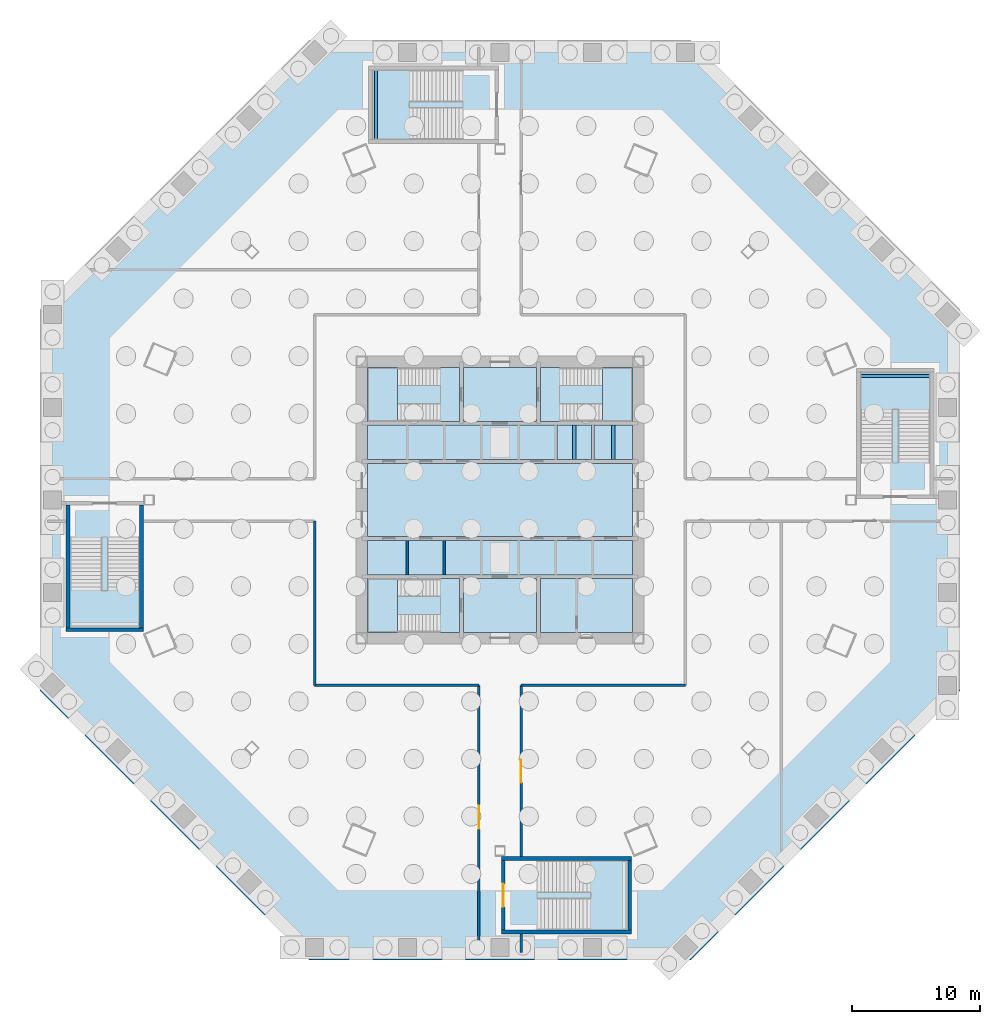
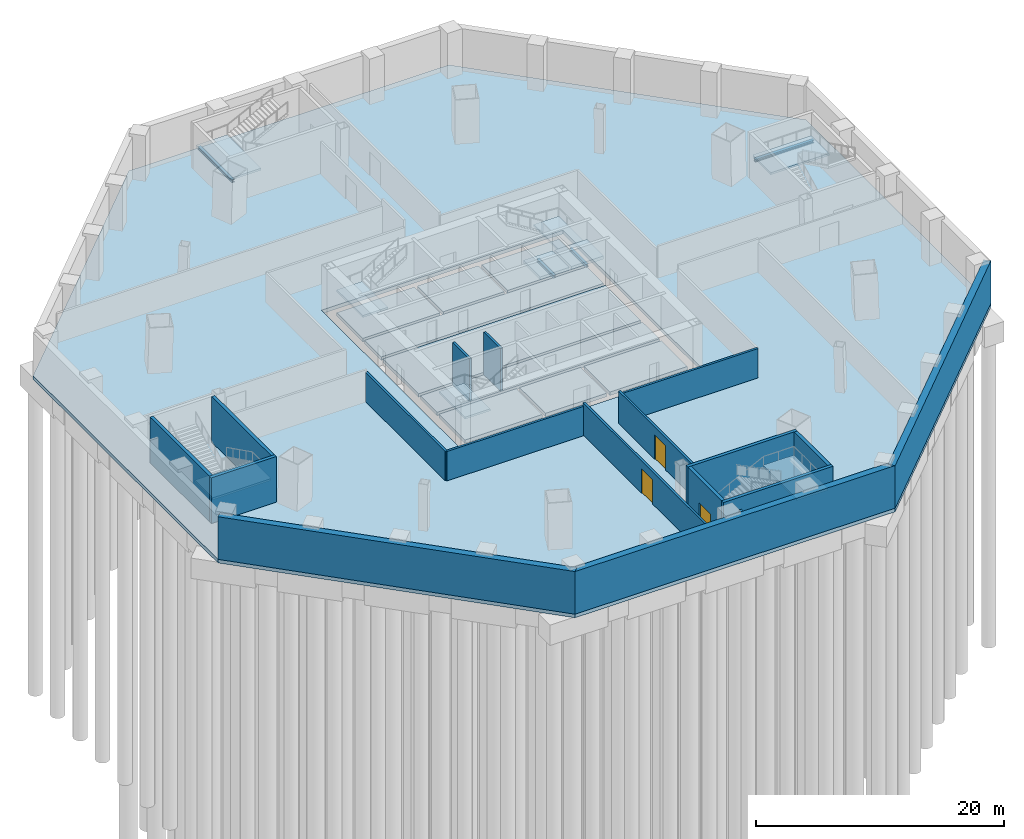
# One storey, part 3 of 11: 19 slabs, 18 walls, 4 beams, 3 doors, 3 openings, 7 elements without a shape of their own.
"""IFC4 building model written with IfcOpenShell, lengths in metres."""

from ifc_helpers import new_model, si_unit, direction, frame, frame_2d, origin, origin_2d, place, context, subcontext, project, spatial, polyline, rectangle, i_section, outline, extrude, material, layer, layer_set, material_profile, profile_set, type_object, element, fill, aggregate, save


model = new_model("IFC4")

# Units and contexts
model_context = context("Model", 3, precision=1e-05, world=origin(), true_north=direction((0.0, 1.0)))
body_context = subcontext(model_context, "Body", "Model", "MODEL_VIEW")
ifc_project = project(units=[si_unit("LENGTHUNIT", "METRE"), si_unit("AREAUNIT", "SQUARE_METRE"), si_unit("VOLUMEUNIT", "CUBIC_METRE"), si_unit("PLANEANGLEUNIT", "RADIAN"), si_unit("MASSUNIT", "GRAM", prefix="KILO")], contexts=[model_context])

# Site, building, storey
site_placement = place(None, origin())
site = spatial("IfcSite", under=ifc_project, at=site_placement, CompositionType="ELEMENT")
building_placement = place(site_placement, origin())
building = spatial("IfcBuilding", under=site, at=building_placement, Name="Mashrafa Tower", CompositionType="ELEMENT")
storey_placement = place(building_placement, frame((0.0, 0.0, -9.0)))
storey = spatial("IfcBuildingStorey", under=building, at=storey_placement, Name="B2", CompositionType="ELEMENT", Elevation=-9.0)

# Beams
ifc_material_1 = material(Name="Steel ASTM A992", Category="steel")
ifc_material_profile = material_profile(ifc_material_1, i_section(OverallWidth=0.25390625, OverallDepth=0.25390625, WebThickness=0.008544921875, FlangeThickness=0.01416015625, FilletRadius=0.010009765625, at=origin_2d()), Name="W10X49")
ifc_profile_set = profile_set([ifc_material_profile], Name="Steel ASTM A992")
beam_type = type_object("IfcBeamType", Name="Hoistway beam W10X49", PredefinedType="BEAM", material=ifc_profile_set)
for number, where, z_axis, x_axis, name in (
    (1, (5.800048828125, 3.14990234375, 2.27294921875), (0.0, 1.0, 0.0), (-1.0, 0.0, 0.0), "Hoistway beam under lift pit K1"),
    (2, (8.85009765625, 3.14990234375, 2.27294921875), (0.0, 1.0, 0.0), (-1.0, 0.0, 0.0), "Hoistway beam under lift pit K2"),
):
    element("IfcBeam", number, at=place(storey_placement, frame(where, z_axis=z_axis, x_axis=x_axis)), inside=storey, type_object=beam_type, Name=name, PredefinedType="BEAM", context=body_context, shape_type="SweptSolid", body=[
        extrude(i_section(OverallWidth=0.25390625, OverallDepth=0.25390625, WebThickness=0.008544921875, FlangeThickness=0.01416015625, FilletRadius=0.010009765625, at=origin_2d()), origin(), (0.0, 0.0, 1.0), 2.7001953125),
    ])
for number, where, z_axis, x_axis, name in (
    (3, (28.199951171875, 9.699951171875, 1.923095703125), (1.0, 0.0, 0.0), (0.0, 1.0, 0.0), "Stair P1 landing beam B2"),
    (4, (-9.699951171875, 28.199951171875, 1.923095703125), (0.0, 1.0, 0.0), (-1.0, 0.0, 0.0), "Stair P2 landing beam B2"),
):
    element("IfcBeam", number, at=place(storey_placement, frame(where, z_axis=z_axis, x_axis=x_axis)), inside=storey, type_object=beam_type, Name=name, PredefinedType="BEAM", context=body_context, shape_type="SweptSolid", body=[
        extrude(i_section(OverallWidth=0.25390625, OverallDepth=0.25390625, WebThickness=0.008544921875, FlangeThickness=0.01416015625, FilletRadius=0.010009765625, at=origin_2d()), origin(), (0.0, 0.0, 1.0), 5.449951171875),
    ])

# Slabs
ifc_material_2 = material(Name="Concrete C35/45", Category="concrete")
ifc_layer_1 = layer(ifc_material_2, 0.35009765625)
ifc_layer_set_1 = layer_set([ifc_layer_1], Name="Basement slab 350")
slab_type_1 = type_object("IfcSlabType", Name="Basement slab 350", PredefinedType="BASESLAB", material=ifc_layer_set_1)
slab_1_placement = place(storey_placement, frame((0.0, 0.0, -0.35009765625)))
element("IfcSlab", 5, at=slab_1_placement, inside=storey, type_object=slab_type_1, Name="Basement slab B2", PredefinedType="BASESLAB", context=body_context, shape_type="SweptSolid", body=[
    extrude(outline(polyline([(14.91162109375, -36.0), (-14.91162109375, -36.0), (-36.0, -14.91162109375), (-36.0, 14.91162109375), (-14.91162109375, 36.0), (14.91162109375, 36.0), (36.0, 14.91162109375), (36.0, -14.91162109375), (14.91162109375, -36.0)]), holes=[polyline([(-11.25, -11.25), (11.25, -11.25), (11.25, 11.25), (-11.25, 11.25), (-11.25, -11.25)])]), origin(), (0.0, 0.0, 1.0), 0.35009765625),
])
slab_2_placement = place(storey_placement, frame((0.0, 0.0, -0.35009765625)))
element("IfcSlab", 6, at=slab_2_placement, inside=storey, type_object=slab_type_1, Name="Core floor lift hall B2", PredefinedType="BASESLAB", context=body_context, shape_type="SweptSolid", body=[
    extrude(outline(polyline([(10.35009765625, 2.85009765625), (10.35009765625, -2.85009765625), (-10.35009765625, -2.85009765625), (-10.35009765625, 2.85009765625), (10.35009765625, 2.85009765625)])), origin(), (0.0, 0.0, 1.0), 0.35009765625),
])
slab_3_placement = place(storey_placement, frame((0.0, 0.0, -0.35009765625)))
element("IfcSlab", 7, at=slab_3_placement, inside=storey, type_object=slab_type_1, Name="Core floor lift cell B2", PredefinedType="BASESLAB", context=body_context, shape_type="SweptSolid", body=[
    extrude(outline(polyline([(-10.35009765625, 5.85009765625), (10.35009765625, 5.85009765625), (10.35009765625, 3.14990234375), (-10.35009765625, 3.14990234375), (-10.35009765625, 5.85009765625)])), origin(), (0.0, 0.0, 1.0), 0.35009765625),
])
slab_4_placement = place(storey_placement, frame((0.0, 0.0, -0.35009765625)))
element("IfcSlab", 8, at=slab_4_placement, inside=storey, type_object=slab_type_1, Name="Core floor lift cell B2", PredefinedType="BASESLAB", context=body_context, shape_type="SweptSolid", body=[
    extrude(outline(polyline([(-10.35009765625, -3.14990234375), (10.35009765625, -3.14990234375), (10.35009765625, -5.85009765625), (-10.35009765625, -5.85009765625), (-10.35009765625, -3.14990234375)])), origin(), (0.0, 0.0, 1.0), 0.35009765625),
])
slab_5_placement = place(storey_placement, frame((0.0, 0.0, -0.35009765625)))
element("IfcSlab", 9, at=slab_5_placement, inside=storey, type_object=slab_type_1, Name="Core floor riser and electrical band B2", PredefinedType="BASESLAB", context=body_context, shape_type="SweptSolid", body=[
    extrude(outline(polyline([(3.14990234375, -10.35009765625), (3.14990234375, -6.14990234375), (10.35009765625, -6.14990234375), (10.35009765625, -10.35009765625), (3.14990234375, -10.35009765625)])), origin(), (0.0, 0.0, 1.0), 0.35009765625),
])
slab_6_placement = place(storey_placement, frame((0.0, 0.0, -0.35009765625)))
element("IfcSlab", 10, at=slab_6_placement, inside=storey, type_object=slab_type_1, Name="Core floor stair S2 band B2", PredefinedType="BASESLAB", context=body_context, shape_type="SweptSolid", body=[
    extrude(outline(polyline([(10.35009765625, 10.35009765625), (10.35009765625, 6.14990234375), (3.14990234375, 6.14990234375), (3.14990234375, 10.35009765625), (10.35009765625, 10.35009765625)])), origin(), (0.0, 0.0, 1.0), 0.35009765625),
])
slab_7_placement = place(storey_placement, frame((0.0, 0.0, -0.35009765625)))
element("IfcSlab", 11, at=slab_7_placement, inside=storey, type_object=slab_type_1, Name="Core floor stair S1 band B2", PredefinedType="BASESLAB", context=body_context, shape_type="SweptSolid", body=[
    extrude(outline(polyline([(-3.14990234375, 6.14990234375), (-10.35009765625, 6.14990234375), (-10.35009765625, 10.35009765625), (-3.14990234375, 10.35009765625), (-3.14990234375, 6.14990234375)])), origin(), (0.0, 0.0, 1.0), 0.35009765625),
])
slab_8_placement = place(storey_placement, frame((0.0, 0.0, -0.35009765625)))
element("IfcSlab", 12, at=slab_8_placement, inside=storey, type_object=slab_type_1, Name="Core floor stair S3 band B2", PredefinedType="BASESLAB", context=body_context, shape_type="SweptSolid", body=[
    extrude(outline(polyline([(-10.35009765625, -6.14990234375), (-3.14990234375, -6.14990234375), (-3.14990234375, -10.35009765625), (-10.35009765625, -10.35009765625), (-10.35009765625, -6.14990234375)])), origin(), (0.0, 0.0, 1.0), 0.35009765625),
])
slab_9_placement = place(storey_placement, frame((0.0, 0.0, -0.35009765625)))
element("IfcSlab", 13, at=slab_9_placement, inside=storey, type_object=slab_type_1, Name="Core floor fire-fighting lobby south B2", PredefinedType="BASESLAB", context=body_context, shape_type="SweptSolid", body=[
    extrude(outline(polyline([(-2.85009765625, -6.14990234375), (2.85009765625, -6.14990234375), (2.85009765625, -10.35009765625), (-2.85009765625, -10.35009765625), (-2.85009765625, -6.14990234375)])), origin(), (0.0, 0.0, 1.0), 0.35009765625),
])
slab_10_placement = place(storey_placement, frame((0.0, 0.0, -0.35009765625)))
element("IfcSlab", 14, at=slab_10_placement, inside=storey, type_object=slab_type_1, Name="Core floor fire-fighting lobby north B2", PredefinedType="BASESLAB", context=body_context, shape_type="SweptSolid", body=[
    extrude(outline(polyline([(2.85009765625, 10.35009765625), (2.85009765625, 6.14990234375), (-2.85009765625, 6.14990234375), (-2.85009765625, 10.35009765625), (2.85009765625, 10.35009765625)])), origin(), (0.0, 0.0, 1.0), 0.35009765625),
])
ifc_material_3 = material(Name="Concrete C32/40", Category="concrete")
ifc_layer_2 = layer(ifc_material_3, 0.300048828125)
ifc_layer_set_2 = layer_set([ifc_layer_2], Name="Lift pit slab 300")
slab_type_2 = type_object("IfcSlabType", Name="Lift pit slab 300", PredefinedType="FLOOR", material=ifc_layer_set_2)
slab_11_placement = place(storey_placement, frame((0.0, 0.0, 2.39990234375)))
element("IfcSlab", 15, at=slab_11_placement, inside=storey, type_object=slab_type_2, Name="Lift pit slab K1", PredefinedType="FLOOR", context=body_context, shape_type="SweptSolid", body=[
    extrude(outline(polyline([(4.449951171875, 3.14990234375), (7.14990234375, 3.14990234375), (7.14990234375, 5.85009765625), (4.449951171875, 5.85009765625), (4.449951171875, 3.14990234375)])), origin(), (0.0, 0.0, 1.0), 0.300048828125),
])
slab_12_placement = place(storey_placement, frame((0.0, 0.0, 2.39990234375)))
element("IfcSlab", 16, at=slab_12_placement, inside=storey, type_object=slab_type_2, Name="Lift pit slab K2", PredefinedType="FLOOR", context=body_context, shape_type="SweptSolid", body=[
    extrude(outline(polyline([(7.35009765625, 3.14990234375), (10.35009765625, 3.14990234375), (10.35009765625, 5.85009765625), (7.35009765625, 5.85009765625), (7.35009765625, 3.14990234375)])), origin(), (0.0, 0.0, 1.0), 0.300048828125),
])

# Stair, slab
ifc_material_4 = material(Name="Exit stair 1400")
stair_type_1 = type_object("IfcStairType", Name="Exit stair 1400", PredefinedType="HALF_TURN_STAIR", material=ifc_material_4)
stair_1_placement = place(storey_placement, origin())
stair_1 = element("IfcStair", 17, at=stair_1_placement, inside=storey, type_object=stair_type_1, Name="Stair S1 B2", PredefinedType="HALF_TURN_STAIR")
ifc_material_5 = material(Name="Concrete C32/40", Category="concrete")
ifc_layer_3 = layer(ifc_material_5, 0.199951171875)
ifc_layer_set_3 = layer_set([ifc_layer_3], Name="Stair landing 200")
slab_type_3 = type_object("IfcSlabType", Name="Stair landing 200", PredefinedType="LANDING", material=ifc_layer_set_3)
slab_13_placement = place(storey_placement, frame((0.0, 0.0, 2.050048828125)))
slab_13 = element("IfcSlab", 18, at=slab_13_placement, type_object=slab_type_3, Name="S1 landing 1", PredefinedType="LANDING", context=body_context, shape_type="SweptSolid", body=[
    extrude(outline(polyline([(-10.35009765625, 6.14990234375), (-8.0, 6.14990234375), (-8.0, 10.35009765625), (-10.35009765625, 10.35009765625), (-10.35009765625, 6.14990234375)])), origin(), (0.0, 0.0, 1.0), 0.199951171875),
])
aggregate(stair_1, [slab_13])

stair_2_placement = place(storey_placement, origin())
stair_2 = element("IfcStair", 19, at=stair_2_placement, inside=storey, type_object=stair_type_1, Name="Stair S2 B2", PredefinedType="HALF_TURN_STAIR")
slab_14_placement = place(storey_placement, frame((0.0, 0.0, 2.050048828125)))
slab_14 = element("IfcSlab", 20, at=slab_14_placement, type_object=slab_type_3, Name="S2 landing 1", PredefinedType="LANDING", context=body_context, shape_type="SweptSolid", body=[
    extrude(outline(polyline([(8.0, 6.14990234375), (10.35009765625, 6.14990234375), (10.35009765625, 10.35009765625), (8.0, 10.35009765625), (8.0, 6.14990234375)])), origin(), (0.0, 0.0, 1.0), 0.199951171875),
])
aggregate(stair_2, [slab_14])

stair_3_placement = place(storey_placement, origin())
stair_3 = element("IfcStair", 21, at=stair_3_placement, inside=storey, type_object=stair_type_1, Name="Stair S3 B2", PredefinedType="HALF_TURN_STAIR")
slab_15_placement = place(storey_placement, frame((0.0, 0.0, 2.050048828125)))
slab_15 = element("IfcSlab", 22, at=slab_15_placement, type_object=slab_type_3, Name="S3 landing 1", PredefinedType="LANDING", context=body_context, shape_type="SweptSolid", body=[
    extrude(outline(polyline([(-10.35009765625, -10.35009765625), (-8.0, -10.35009765625), (-8.0, -6.14990234375), (-10.35009765625, -6.14990234375), (-10.35009765625, -10.35009765625)])), origin(), (0.0, 0.0, 1.0), 0.199951171875),
])
aggregate(stair_3, [slab_15])

ifc_material_6 = material(Name="Exit stair 2500")
stair_type_2 = type_object("IfcStairType", Name="Exit stair 2500", PredefinedType="HALF_TURN_STAIR", material=ifc_material_6)
stair_4_placement = place(storey_placement, origin())
stair_4 = element("IfcStair", 23, at=stair_4_placement, inside=storey, type_object=stair_type_2, Name="Stair P1 B2", PredefinedType="HALF_TURN_STAIR")
slab_16_placement = place(storey_placement, frame((0.0, 0.0, 2.050048828125)))
slab_16 = element("IfcSlab", 24, at=slab_16_placement, type_object=slab_type_3, Name="P1 landing 1", PredefinedType="LANDING", context=body_context, shape_type="SweptSolid", body=[
    extrude(outline(polyline([(33.64990234375, 7.090087890625), (33.64990234375, 10.0), (28.199951171875, 10.0), (28.199951171875, 7.090087890625), (33.64990234375, 7.090087890625)])), origin(), (0.0, 0.0, 1.0), 0.199951171875),
])
aggregate(stair_4, [slab_16])

stair_5_placement = place(storey_placement, origin())
stair_5 = element("IfcStair", 25, at=stair_5_placement, inside=storey, type_object=stair_type_2, Name="Stair P2 B2", PredefinedType="HALF_TURN_STAIR")
slab_17_placement = place(storey_placement, frame((0.0, 0.0, 2.050048828125)))
slab_17 = element("IfcSlab", 26, at=slab_17_placement, type_object=slab_type_3, Name="P2 landing 1", PredefinedType="LANDING", context=body_context, shape_type="SweptSolid", body=[
    extrude(outline(polyline([(-10.0, 28.199951171875), (-7.090087890625, 28.199951171875), (-7.090087890625, 33.64990234375), (-10.0, 33.64990234375), (-10.0, 28.199951171875)])), origin(), (0.0, 0.0, 1.0), 0.199951171875),
])
aggregate(stair_5, [slab_17])

stair_6_placement = place(storey_placement, origin())
stair_6 = element("IfcStair", 27, at=stair_6_placement, inside=storey, type_object=stair_type_2, Name="Stair P3 B2", PredefinedType="HALF_TURN_STAIR")
slab_18_placement = place(storey_placement, frame((0.0, 0.0, 2.050048828125)))
slab_18 = element("IfcSlab", 28, at=slab_18_placement, type_object=slab_type_3, Name="P3 landing 1", PredefinedType="LANDING", context=body_context, shape_type="SweptSolid", body=[
    extrude(outline(polyline([(-28.199951171875, -10.0), (-28.199951171875, -7.090087890625), (-33.64990234375, -7.090087890625), (-33.64990234375, -10.0), (-28.199951171875, -10.0)])), origin(), (0.0, 0.0, 1.0), 0.199951171875),
])
aggregate(stair_6, [slab_18])

stair_7_placement = place(storey_placement, origin())
stair_7 = element("IfcStair", 29, at=stair_7_placement, inside=storey, type_object=stair_type_2, Name="Stair P4 B2", PredefinedType="HALF_TURN_STAIR")
slab_19_placement = place(storey_placement, frame((0.0, 0.0, 2.050048828125)))
slab_19 = element("IfcSlab", 30, at=slab_19_placement, type_object=slab_type_3, Name="P4 landing 1", PredefinedType="LANDING", context=body_context, shape_type="SweptSolid", body=[
    extrude(outline(polyline([(7.090087890625, -33.64990234375), (10.0, -33.64990234375), (10.0, -28.199951171875), (7.090087890625, -28.199951171875), (7.090087890625, -33.64990234375)])), origin(), (0.0, 0.0, 1.0), 0.199951171875),
])
aggregate(stair_7, [slab_19])

# Walls
ifc_material_7 = material(Name="Concrete C40/50", Category="concrete")
ifc_layer_4 = layer(ifc_material_7, 0.60009765625)
ifc_layer_set_4 = layer_set([ifc_layer_4], Name="Basement retaining wall 600")
wall_type_1 = type_object("IfcWallType", Name="Basement retaining wall 600", PredefinedType="SOLIDWALL", material=ifc_layer_set_4)
wall_1_placement = place(storey_placement, frame((-35.787841796875, -14.699462890625, 0.0), z_axis=(0.0, 0.0, 1.0), x_axis=(0.707106781187, -0.707106781187, 0.0)))
element("IfcWall", 31, at=wall_1_placement, inside=storey, type_object=wall_type_1, Name="Basement retaining wall B2 south-west", PredefinedType="SOLIDWALL", context=body_context, shape_type="SweptSolid", body=[
    extrude(rectangle(XDim=29.823486328125, YDim=0.60009765625, at=frame_2d((14.91162109375, 0.0))), origin(), (0.0, 0.0, 1.0), 4.199951171875),
])
wall_2_placement = place(storey_placement, frame((-14.91162109375, -35.699951171875, 0.0), z_axis=(0.0, 0.0, 1.0), x_axis=(1.0, 0.0, 0.0)))
element("IfcWall", 32, at=wall_2_placement, inside=storey, type_object=wall_type_1, Name="Basement retaining wall B2 south", PredefinedType="SOLIDWALL", context=body_context, shape_type="SweptSolid", body=[
    extrude(rectangle(XDim=29.8232421875, YDim=0.60009765625, at=frame_2d((14.91162109375, 0.0))), origin(), (0.0, 0.0, 1.0), 4.199951171875),
])
wall_3_placement = place(storey_placement, frame((14.699462890625, -35.787841796875, 0.0), z_axis=(0.0, 0.0, 1.0), x_axis=(0.707106781187, 0.707106781187, 0.0)))
element("IfcWall", 33, at=wall_3_placement, inside=storey, type_object=wall_type_1, Name="Basement retaining wall B2 south-east", PredefinedType="SOLIDWALL", context=body_context, shape_type="SweptSolid", body=[
    extrude(rectangle(XDim=29.823486328125, YDim=0.60009765625, at=frame_2d((14.91162109375, 0.0))), origin(), (0.0, 0.0, 1.0), 4.199951171875),
])
ifc_material_8 = material(Name="Concrete masonry unit", Category="masonry")
ifc_layer_5 = layer(ifc_material_8, 0.199951171875)
ifc_layer_set_5 = layer_set([ifc_layer_5], Name="Blockwork wall 200 2 hr")
wall_type_2 = type_object("IfcWallType", Name="Blockwork wall 200 2 hr", PredefinedType="PARTITIONING", material=ifc_layer_set_5)
for number, where, z_axis, x_axis, name in (
    (34, (-14.5, -1.64990234375, 0.0), (0.0, 0.0, 1.0), (0.0, -1.0, 0.0), "Blockwork wall B2-014"),
    (35, (-14.5, -14.5, 0.0), (0.0, 0.0, 1.0), (1.0, 0.0, 0.0), "Blockwork wall B2-015"),
):
    element("IfcWall", number, at=place(storey_placement, frame(where, z_axis=z_axis, x_axis=x_axis)), inside=storey, type_object=wall_type_2, Name=name, PredefinedType="PARTITIONING", context=body_context, shape_type="SweptSolid", body=[
        extrude(rectangle(XDim=12.85009765625, YDim=0.199951171875, at=frame_2d((6.425048828125, 0.0))), origin(), (0.0, 0.0, 1.0), 2.889892578125),
    ])

# Wall, opening, door
wall_4_placement = place(storey_placement, frame((-1.64990234375, -14.5, 0.0), z_axis=(0.0, 0.0, 1.0), x_axis=(0.0, -1.0, 0.0)))
wall_4 = element("IfcWall", 36, at=wall_4_placement, inside=storey, type_object=wall_type_2, Name="Blockwork wall B2-016", PredefinedType="PARTITIONING", context=body_context, shape_type="SweptSolid", body=[
    extrude(rectangle(XDim=20.89501953125, YDim=0.199951171875, at=frame_2d((10.447509765625, 0.0))), origin(), (0.0, 0.0, 1.0), 3.17919921875),
])
opening_1_placement = place(wall_4_placement, frame((9.39990234375, 0.0, 0.0)))
opening_1 = element("IfcOpeningElement", 37, at=opening_1_placement, cuts=wall_4, Name="Opening B2.004", PredefinedType="OPENING", context=body_context, shape_type="SweptSolid", body=[
    extrude(rectangle(XDim=1.800048828125, YDim=2.39990234375, at=frame_2d((0.89990234375, 1.199951171875))), frame((0.0, 0.10986328125, 0.0), z_axis=(0.0, -1.0, 0.0), x_axis=(1.0, 0.0, 0.0)), (0.0, 0.0, 1.0), 0.219970703125),
])
ifc_material_9 = material(Name="Steel door", Category="steel")
door_type_1 = type_object("IfcDoorType", Name="Door pair 1800 x 2400 90 min", OperationType="DOUBLE_DOOR_SINGLE_SWING", PredefinedType="DOOR", material=ifc_material_9)
door_1_placement = place(opening_1_placement, frame((1.800048828125, 0.0, 0.0), z_axis=(0.0, 0.0, 1.0), x_axis=(-1.0, 0.0, 0.0)))
door_1 = element("IfcDoor", 38, at=door_1_placement, inside=storey, type_object=door_type_1, Name="Electrical Substation B2 door", OperationType="DOUBLE_DOOR_SINGLE_SWING", OverallHeight=2.39990234375, OverallWidth=1.800048828125, PredefinedType="DOOR", context=body_context, shape_type="SweptSolid", body=[
    extrude(rectangle(XDim=1.800048828125, YDim=2.39990234375, at=frame_2d((0.89990234375, 1.199951171875))), frame((0.0, 0.02490234375, 0.0), z_axis=(0.0, -1.0, 0.0), x_axis=(1.0, 0.0, 0.0)), (0.0, 0.0, 1.0), 0.050048828125),
])
fill(opening_1, door_1)

# Wall
wall_5_placement = place(storey_placement, frame((1.64990234375, -35.39501953125, 0.0), z_axis=(0.0, 0.0, 1.0), x_axis=(0.0, 1.0, 0.0)))
element("IfcWall", 39, at=wall_5_placement, inside=storey, type_object=wall_type_2, Name="Blockwork wall B2-017", PredefinedType="PARTITIONING", context=body_context, shape_type="SweptSolid", body=[
    extrude(rectangle(XDim=1.445556640625, YDim=0.199951171875, at=frame_2d((0.72265625, 0.0))), origin(), (0.0, 0.0, 1.0), 3.278076171875),
])

# Wall, opening, door
wall_6_placement = place(storey_placement, frame((1.64990234375, -27.900390625, 0.0), z_axis=(0.0, 0.0, 1.0), x_axis=(0.0, 1.0, 0.0)))
wall_6 = element("IfcWall", 40, at=wall_6_placement, inside=storey, type_object=wall_type_2, Name="Blockwork wall B2-018", PredefinedType="PARTITIONING", context=body_context, shape_type="SweptSolid", body=[
    extrude(rectangle(XDim=13.400390625, YDim=0.199951171875, at=frame_2d((6.7001953125, 0.0))), origin(), (0.0, 0.0, 1.0), 3.17919921875),
])
opening_2_placement = place(wall_6_placement, frame((5.80029296875, 0.0, 0.0)))
opening_2 = element("IfcOpeningElement", 41, at=opening_2_placement, cuts=wall_6, Name="Opening B2.005", PredefinedType="OPENING", context=body_context, shape_type="SweptSolid", body=[
    extrude(rectangle(XDim=1.800048828125, YDim=2.39990234375, at=frame_2d((0.89990234375, 1.199951171875))), frame((0.0, 0.10986328125, 0.0), z_axis=(0.0, -1.0, 0.0), x_axis=(1.0, 0.0, 0.0)), (0.0, 0.0, 1.0), 0.219970703125),
])
door_2_placement = place(opening_2_placement, frame((1.800048828125, 0.0, 0.0), z_axis=(0.0, 0.0, 1.0), x_axis=(-1.0, 0.0, 0.0)))
door_2 = element("IfcDoor", 42, at=door_2_placement, inside=storey, type_object=door_type_1, Name="Chiller Plant Room B2 door", OperationType="DOUBLE_DOOR_SINGLE_SWING", OverallHeight=2.39990234375, OverallWidth=1.800048828125, PredefinedType="DOOR", context=body_context, shape_type="SweptSolid", body=[
    extrude(rectangle(XDim=1.800048828125, YDim=2.39990234375, at=frame_2d((0.89990234375, 1.199951171875))), frame((0.0, 0.02490234375, 0.0), z_axis=(0.0, -1.0, 0.0), x_axis=(1.0, 0.0, 0.0)), (0.0, 0.0, 1.0), 0.050048828125),
])
fill(opening_2, door_2)

# Walls
wall_7_placement = place(storey_placement, frame((1.64990234375, -14.5, 0.0), z_axis=(0.0, 0.0, 1.0), x_axis=(1.0, 0.0, 0.0)))
element("IfcWall", 43, at=wall_7_placement, inside=storey, type_object=wall_type_2, Name="Blockwork wall B2-019", PredefinedType="PARTITIONING", context=body_context, shape_type="SweptSolid", body=[
    extrude(rectangle(XDim=12.85009765625, YDim=0.199951171875, at=frame_2d((6.425048828125, 0.0))), origin(), (0.0, 0.0, 1.0), 2.889892578125),
])
ifc_material_10 = material(Name="Gypsum shaft wall on steel studs", Category="steel")
ifc_layer_6 = layer(ifc_material_10, 0.199951171875)
ifc_layer_set_6 = layer_set([ifc_layer_6], Name="Shaft divider wall 200 2 hr")
wall_type_3 = type_object("IfcWallType", Name="Shaft divider wall 200 2 hr", PredefinedType="PARTITIONING", material=ifc_layer_set_6)
for number, where, z_axis, x_axis, name in (
    (44, (-7.25, -5.85009765625, 0.0), (0.0, 0.0, 1.0), (0.0, 1.0, 0.0), "Shaft divider wall S1 B2"),
    (45, (-4.35009765625, -5.85009765625, 0.0), (0.0, 0.0, 1.0), (0.0, 1.0, 0.0), "Shaft divider wall S2 B2"),
):
    element("IfcWall", number, at=place(storey_placement, frame(where, z_axis=z_axis, x_axis=x_axis)), inside=storey, type_object=wall_type_3, Name=name, PredefinedType="PARTITIONING", context=body_context, shape_type="SweptSolid", body=[
        extrude(rectangle(XDim=2.7001953125, YDim=0.199951171875, at=frame_2d((1.35009765625, 0.0))), origin(), (0.0, 0.0, 1.0), 4.199951171875),
    ])
ifc_material_11 = material(Name="Concrete C35/45", Category="concrete")
ifc_layer_7 = layer(ifc_material_11, 0.300048828125)
ifc_layer_set_7 = layer_set([ifc_layer_7], Name="Stair core wall 300 3 hr")
wall_type_4 = type_object("IfcWallType", Name="Stair core wall 300 3 hr", PredefinedType="SOLIDWALL", material=ifc_layer_set_7)
wall_8_placement = place(storey_placement, frame((-33.949951171875, -10.14990234375, 0.0), z_axis=(0.0, 0.0, 1.0), x_axis=(1.0, 0.0, 0.0)))
element("IfcWall", 46, at=wall_8_placement, inside=storey, type_object=wall_type_4, Name="Stair P3 core wall S B2", PredefinedType="SOLIDWALL", context=body_context, shape_type="SweptSolid", body=[
    extrude(rectangle(XDim=6.050048828125, YDim=0.300048828125, at=frame_2d((3.02490234375, 0.0))), origin(), (0.0, 0.0, 1.0), 4.5),
])
for number, where, z_axis, x_axis, name in (
    (47, (-33.800048828125, -0.39990234375, 0.0), (0.0, 0.0, 1.0), (0.0, -1.0, 0.0), "Stair P3 core wall W B2"),
    (48, (-28.050048828125, -10.0, 0.0), (0.0, 0.0, 1.0), (0.0, 1.0, 0.0), "Stair P3 core wall E B2"),
):
    element("IfcWall", number, at=place(storey_placement, frame(where, z_axis=z_axis, x_axis=x_axis)), inside=storey, type_object=wall_type_4, Name=name, PredefinedType="SOLIDWALL", context=body_context, shape_type="SweptSolid", body=[
        extrude(rectangle(XDim=9.60009765625, YDim=0.300048828125, at=frame_2d((4.800048828125, 0.0))), origin(), (0.0, 0.0, 1.0), 4.5),
    ])
for number, where, z_axis, x_axis, name in (
    (49, (0.10009765625, -33.800048828125, 0.0), (0.0, 0.0, 1.0), (1.0, 0.0, 0.0), "Stair P4 core wall S B2"),
    (50, (10.300048828125, -28.050048828125, 0.0), (0.0, 0.0, 1.0), (-1.0, 0.0, 0.0), "Stair P4 core wall N B2"),
):
    element("IfcWall", number, at=place(storey_placement, frame(where, z_axis=z_axis, x_axis=x_axis)), inside=storey, type_object=wall_type_4, Name=name, PredefinedType="SOLIDWALL", context=body_context, shape_type="SweptSolid", body=[
        extrude(rectangle(XDim=10.199951171875, YDim=0.300048828125, at=frame_2d((5.10009765625, 0.0))), origin(), (0.0, 0.0, 1.0), 4.5),
    ])

# Wall, opening, door
wall_9_placement = place(storey_placement, frame((0.25, -28.199951171875, 0.0), z_axis=(0.0, 0.0, 1.0), x_axis=(0.0, -1.0, 0.0)))
wall_9 = element("IfcWall", 51, at=wall_9_placement, inside=storey, type_object=wall_type_4, Name="Stair P4 core wall W B2", PredefinedType="SOLIDWALL", context=body_context, shape_type="SweptSolid", body=[
    extrude(rectangle(XDim=5.449951171875, YDim=0.300048828125, at=frame_2d((2.72509765625, 0.0))), origin(), (0.0, 0.0, 1.0), 4.5),
])
opening_3_placement = place(wall_9_placement, frame((1.824951171875, 0.0, 0.0)))
opening_3 = element("IfcOpeningElement", 52, at=opening_3_placement, cuts=wall_9, Name="Opening B2.031", PredefinedType="OPENING", context=body_context, shape_type="SweptSolid", body=[
    extrude(rectangle(XDim=1.800048828125, YDim=2.10009765625, at=frame_2d((0.89990234375, 1.050048828125))), frame((0.0, 0.159912109375, 0.0), z_axis=(0.0, -1.0, 0.0), x_axis=(1.0, 0.0, 0.0)), (0.0, 0.0, 1.0), 0.320068359375),
])
ifc_material_12 = material(Name="Steel door", Category="steel")
door_type_2 = type_object("IfcDoorType", Name="Stair door pair 1800 x 2100 90 min", OperationType="DOUBLE_DOOR_SINGLE_SWING", PredefinedType="DOOR", material=ifc_material_12)
door_3_placement = place(opening_3_placement, origin())
door_3 = element("IfcDoor", 53, at=door_3_placement, inside=storey, type_object=door_type_2, Name="Stair P4 door B2", OperationType="DOUBLE_DOOR_SINGLE_SWING", OverallHeight=2.10009765625, OverallWidth=1.800048828125, PredefinedType="DOOR", context=body_context, shape_type="SweptSolid", body=[
    extrude(rectangle(XDim=1.800048828125, YDim=2.10009765625, at=frame_2d((0.89990234375, 1.050048828125))), frame((0.0, 0.02490234375, 0.0), z_axis=(0.0, -1.0, 0.0), x_axis=(1.0, 0.0, 0.0)), (0.0, 0.0, 1.0), 0.050048828125),
])
fill(opening_3, door_3)

# Wall
wall_10_placement = place(storey_placement, frame((10.14990234375, -33.64990234375, 0.0), z_axis=(0.0, 0.0, 1.0), x_axis=(0.0, 1.0, 0.0)))
element("IfcWall", 54, at=wall_10_placement, inside=storey, type_object=wall_type_4, Name="Stair P4 core wall E B2", PredefinedType="SOLIDWALL", context=body_context, shape_type="SweptSolid", body=[
    extrude(rectangle(XDim=5.449951171875, YDim=0.300048828125, at=frame_2d((2.72509765625, 0.0))), origin(), (0.0, 0.0, 1.0), 4.5),
])

save(model, "model.ifc")
